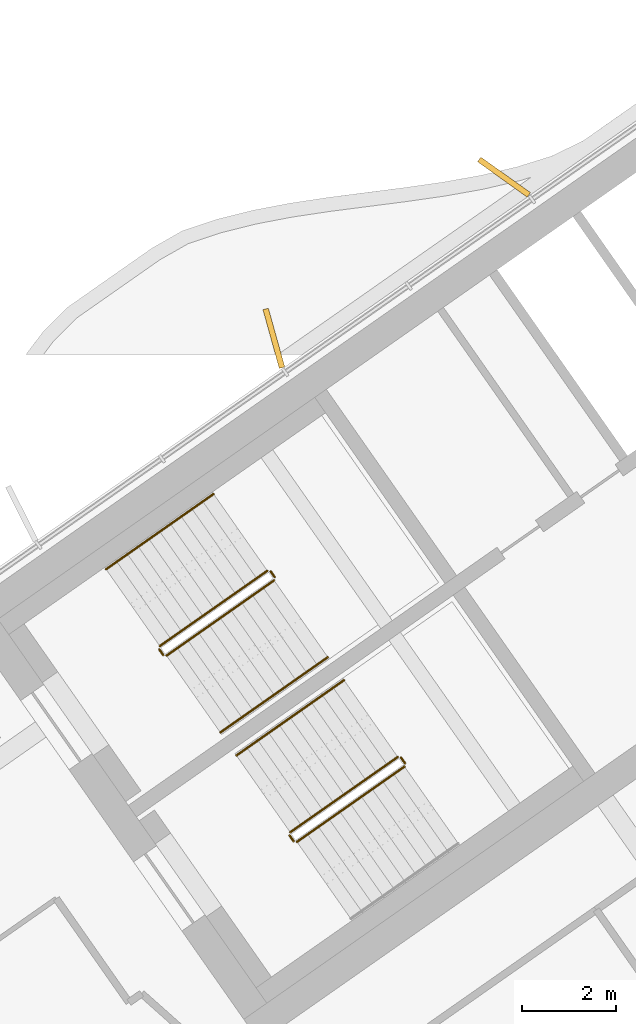
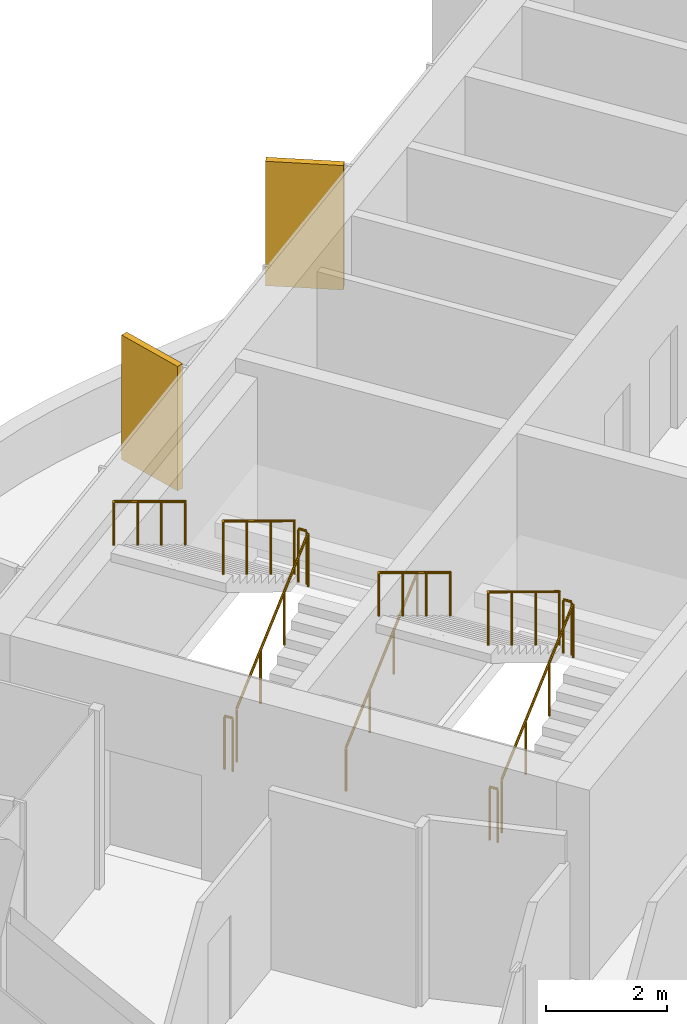
# One storey, part 14 of 17: 11 railings, 2 shading devices.
"""IFC4 building model written with IfcOpenShell, lengths in metres."""

from ifc_helpers import new_model, si_unit, direction, frame, origin, origin_2d, place, context, subcontext, project, spatial, rectangle, circle, extrude, material, layer, layer_set, type_object, element, save


model = new_model("IFC4")

# Units and contexts
model_context = context("Model", 3, precision=1e-05, world=origin(), true_north=direction((0.0, 1.0)))
body_context = subcontext(model_context, "Body", "Model", "MODEL_VIEW")
ifc_project = project(units=[si_unit("LENGTHUNIT", "METRE"), si_unit("AREAUNIT", "SQUARE_METRE"), si_unit("VOLUMEUNIT", "CUBIC_METRE"), si_unit("PLANEANGLEUNIT", "RADIAN"), si_unit("MASSUNIT", "GRAM", prefix="KILO")], contexts=[model_context])

# Site, building, storey
site_placement = place(None, origin())
site = spatial("IfcSite", under=ifc_project, at=site_placement, CompositionType="ELEMENT")
building_placement = place(site_placement, origin())
building = spatial("IfcBuilding", under=site, at=building_placement, Name="Tel Ilan Convention Tower", CompositionType="ELEMENT")
storey_placement = place(building_placement, frame((0.0, 0.0, 287.800048828125)))
storey = spatial("IfcBuildingStorey", under=building, at=storey_placement, Name="L68", CompositionType="ELEMENT", Elevation=287.800048828125)

# Shading devices
ifc_material_1 = material(Name="Aluminium, bronze anodised", Category="aluminium")
ifc_layer = layer(ifc_material_1, 0.1201171875)
ifc_layer_set = layer_set([ifc_layer], Name="FIN BRONZE 1300x120")
shading_device_type = type_object("IfcShadingDeviceType", Name="FIN BRONZE 1300x120", PredefinedType="USERDEFINED", material=ifc_layer_set)
for number, where, z_axis, x_axis, name in (
    (1, (-16.335693359375, 2.15185546875, 1.099853515625), (0.0, 0.0, 1.0), (-0.813552070258, 0.581492071294, 0.0), "FIN"),
    (2, (-21.246337890625, -1.286865234375, 1.099853515625), (0.0, 0.0, 1.0), (-0.268172612768, 0.963370878614, 0.0), "FIN"),
):
    element("IfcShadingDevice", number, at=place(storey_placement, frame(where, z_axis=z_axis, x_axis=x_axis)), inside=storey, type_object=shading_device_type, Name=name, ObjectType="FIN", PredefinedType="USERDEFINED", context=body_context, shape_type="SweptSolid", body=[
        extrude(rectangle(XDim=1.300048828125, YDim=0.1201171875, at=origin_2d()), origin(), (0.0, 0.0, 1.0), 2.52001953125),
    ])

# Railings
ifc_material_2 = material(Name="Stainless Steel Grade 316", Category="steel")
railing_type_1 = type_object("IfcRailingType", Name="Stainless Steel Stair Guard 1100 mm", PredefinedType="GUARDRAIL", material=ifc_material_2)
railing_1_placement = place(storey_placement, frame((-23.535400390625, -8.056396484375, 0.17724609375)))
element("IfcRailing", 3, at=railing_1_placement, inside=storey, type_object=railing_type_1, Name="L68 S1 stair guard 1", PredefinedType="GUARDRAIL", context=body_context, shape_type="SweptSolid", body=[
    extrude(circle(Radius=0.02392578125, at=origin_2d()), frame((0.0, 0.0, 1.076171875), z_axis=(0.692098378994, 0.484653031975, 0.534893701956), x_axis=(-0.573608623498, 0.819129505664, 0.0)), (0.0, 0.0, 1.0), 3.314208984375),
    extrude(circle(Radius=0.02099609375, at=origin_2d()), origin(), (0.0, 0.0, 1.0), 1.052001953125),
    extrude(circle(Radius=0.02099609375, at=origin_2d()), frame((0.7646484375, 0.535400390625, 0.5908203125)), (0.0, 0.0, 1.0), 1.052001953125),
    extrude(circle(Radius=0.02099609375, at=origin_2d()), frame((1.529052734375, 1.07080078125, 1.181884765625)), (0.0, 0.0, 1.0), 1.052001953125),
    extrude(circle(Radius=0.02099609375, at=origin_2d()), frame((2.293701171875, 1.606201171875, 1.772705078125)), (0.0, 0.0, 1.0), 1.052001953125),
])
railing_2_placement = place(storey_placement, frame((-21.2294921875, -6.380615234375, 1.949951171875)))
element("IfcRailing", 4, at=railing_2_placement, inside=storey, type_object=railing_type_1, Name="L68 S1 stair guard 2", PredefinedType="GUARDRAIL", context=body_context, shape_type="SweptSolid", body=[
    extrude(circle(Radius=0.02392578125, at=origin_2d()), frame((0.0, 0.0, 1.076171875), z_axis=(-0.573353020881, 0.819308436089, 0.0), x_axis=(-0.819308436089, -0.573353020881, 0.0)), (0.0, 0.0, 1.0), 0.14990234375),
    extrude(circle(Radius=0.02099609375, at=origin_2d()), origin(), (0.0, 0.0, 1.0), 1.052001953125),
    extrude(circle(Radius=0.02099609375, at=origin_2d()), frame((-0.0859375, 0.122802734375, 0.0)), (0.0, 0.0, 1.0), 1.052001953125),
])
railing_3_placement = place(storey_placement, frame((-21.38525390625, -6.24560546875, 2.127197265625)))
element("IfcRailing", 5, at=railing_3_placement, inside=storey, type_object=railing_type_1, Name="L68 S1 stair guard 3", PredefinedType="GUARDRAIL", context=body_context, shape_type="SweptSolid", body=[
    extrude(circle(Radius=0.02392578125, at=origin_2d()), frame((0.0, 0.0, 1.076171875), z_axis=(-0.692084706163, -0.484621375041, 0.534940073605), x_axis=(0.573591086599, -0.819141785879, 0.0)), (0.0, 0.0, 1.0), 3.313720703125),
    extrude(circle(Radius=0.02099609375, at=origin_2d()), origin(), (0.0, 0.0, 1.0), 1.052001953125),
    extrude(circle(Radius=0.02099609375, at=origin_2d()), frame((-0.764404296875, -0.535400390625, 0.5908203125)), (0.0, 0.0, 1.0), 1.052001953125),
    extrude(circle(Radius=0.02099609375, at=origin_2d()), frame((-1.529052734375, -1.070556640625, 1.181884765625)), (0.0, 0.0, 1.0), 1.052001953125),
    extrude(circle(Radius=0.02099609375, at=origin_2d()), frame((-2.29345703125, -1.60595703125, 1.772705078125)), (0.0, 0.0, 1.0), 1.052001953125),
])
railing_4_placement = place(storey_placement, frame((-23.60498046875, -8.0439453125, 0.0)))
element("IfcRailing", 6, at=railing_4_placement, inside=storey, type_object=railing_type_1, Name="L68 S1 stair guard 4", PredefinedType="GUARDRAIL", context=body_context, shape_type="SweptSolid", body=[
    extrude(circle(Radius=0.02392578125, at=origin_2d()), frame((0.0, 0.0, 1.076171875), z_axis=(-0.574444878118, 0.818543268254, 0.0), x_axis=(-0.818543268254, -0.574444878118, 0.0)), (0.0, 0.0, 1.0), 0.150146484375),
    extrude(circle(Radius=0.02099609375, at=origin_2d()), origin(), (0.0, 0.0, 1.0), 1.052001953125),
    extrude(circle(Radius=0.02099609375, at=origin_2d()), frame((-0.086181640625, 0.122802734375, 0.0)), (0.0, 0.0, 1.0), 1.052001953125),
])
railing_5_placement = place(storey_placement, frame((-20.753662109375, -12.029296875, 0.17724609375)))
element("IfcRailing", 7, at=railing_5_placement, inside=storey, type_object=railing_type_1, Name="L68 S2 stair guard 1", PredefinedType="GUARDRAIL", context=body_context, shape_type="SweptSolid", body=[
    extrude(circle(Radius=0.02392578125, at=origin_2d()), frame((0.0, 0.0, 1.076171875), z_axis=(0.692098378994, 0.484653031975, 0.534893701956), x_axis=(-0.573608623498, 0.819129505664, 0.0)), (0.0, 0.0, 1.0), 3.314208984375),
    extrude(circle(Radius=0.02099609375, at=origin_2d()), origin(), (0.0, 0.0, 1.0), 1.052001953125),
    extrude(circle(Radius=0.02099609375, at=origin_2d()), frame((0.7646484375, 0.535400390625, 0.5908203125)), (0.0, 0.0, 1.0), 1.052001953125),
    extrude(circle(Radius=0.02099609375, at=origin_2d()), frame((1.529052734375, 1.07080078125, 1.181884765625)), (0.0, 0.0, 1.0), 1.052001953125),
    extrude(circle(Radius=0.02099609375, at=origin_2d()), frame((2.293701171875, 1.606201171875, 1.772705078125)), (0.0, 0.0, 1.0), 1.052001953125),
])
railing_6_placement = place(storey_placement, frame((-18.44775390625, -10.353515625, 1.949951171875)))
element("IfcRailing", 8, at=railing_6_placement, inside=storey, type_object=railing_type_1, Name="L68 S2 stair guard 2", PredefinedType="GUARDRAIL", context=body_context, shape_type="SweptSolid", body=[
    extrude(circle(Radius=0.02392578125, at=origin_2d()), frame((0.0, 0.0, 1.076171875), z_axis=(-0.573353020881, 0.819308436089, 0.0), x_axis=(-0.819308436089, -0.573353020881, 0.0)), (0.0, 0.0, 1.0), 0.14990234375),
    extrude(circle(Radius=0.02099609375, at=origin_2d()), origin(), (0.0, 0.0, 1.0), 1.052001953125),
    extrude(circle(Radius=0.02099609375, at=origin_2d()), frame((-0.0859375, 0.122802734375, 0.0)), (0.0, 0.0, 1.0), 1.052001953125),
])
railing_7_placement = place(storey_placement, frame((-18.603271484375, -10.218505859375, 2.127197265625)))
element("IfcRailing", 9, at=railing_7_placement, inside=storey, type_object=railing_type_1, Name="L68 S2 stair guard 3", PredefinedType="GUARDRAIL", context=body_context, shape_type="SweptSolid", body=[
    extrude(circle(Radius=0.02392578125, at=origin_2d()), frame((0.0, 0.0, 1.076171875), z_axis=(-0.692123088272, -0.484596665743, 0.534912798717), x_axis=(0.573550118428, -0.819170471667, 0.0)), (0.0, 0.0, 1.0), 3.31396484375),
    extrude(circle(Radius=0.02099609375, at=origin_2d()), origin(), (0.0, 0.0, 1.0), 1.052001953125),
    extrude(circle(Radius=0.02099609375, at=origin_2d()), frame((-0.7646484375, -0.535400390625, 0.5908203125)), (0.0, 0.0, 1.0), 1.052001953125),
    extrude(circle(Radius=0.02099609375, at=origin_2d()), frame((-1.529052734375, -1.070556640625, 1.181884765625)), (0.0, 0.0, 1.0), 1.052001953125),
    extrude(circle(Radius=0.02099609375, at=origin_2d()), frame((-2.293701171875, -1.60595703125, 1.772705078125)), (0.0, 0.0, 1.0), 1.052001953125),
])
railing_8_placement = place(storey_placement, frame((-20.8232421875, -12.016845703125, 0.0)))
element("IfcRailing", 10, at=railing_8_placement, inside=storey, type_object=railing_type_1, Name="L68 S2 stair guard 4", PredefinedType="GUARDRAIL", context=body_context, shape_type="SweptSolid", body=[
    extrude(circle(Radius=0.02392578125, at=origin_2d()), frame((0.0, 0.0, 1.076171875), z_axis=(-0.573353020881, 0.819308436089, 0.0), x_axis=(-0.819308436089, -0.573353020881, 0.0)), (0.0, 0.0, 1.0), 0.14990234375),
    extrude(circle(Radius=0.02099609375, at=origin_2d()), origin(), (0.0, 0.0, 1.0), 1.052001953125),
    extrude(circle(Radius=0.02099609375, at=origin_2d()), frame((-0.0859375, 0.122802734375, 0.0)), (0.0, 0.0, 1.0), 1.052001953125),
])
ifc_material_3 = material(Name="Stainless Steel Grade 316", Category="steel")
railing_type_2 = type_object("IfcRailingType", Name="Stainless Steel Stair Handrail 900 mm", PredefinedType="HANDRAIL", material=ifc_material_3)
railing_9_placement = place(storey_placement, frame((-22.38818359375, -9.694580078125, 0.17724609375)))
element("IfcRailing", 11, at=railing_9_placement, inside=storey, type_object=railing_type_2, Name="L68 S1 stair handrail 1", PredefinedType="HANDRAIL", context=body_context, shape_type="SweptSolid", body=[
    extrude(circle(Radius=0.02392578125, at=origin_2d()), frame((0.0, 0.0, 0.8759765625), z_axis=(0.692084706163, 0.484621375041, 0.534940073605), x_axis=(-0.573591086599, 0.819141785879, 0.0)), (0.0, 0.0, 1.0), 3.313720703125),
    extrude(circle(Radius=0.02099609375, at=origin_2d()), origin(), (0.0, 0.0, 1.0), 0.851806640625),
    extrude(circle(Radius=0.02099609375, at=origin_2d()), frame((0.764404296875, 0.535400390625, 0.5908203125)), (0.0, 0.0, 1.0), 0.851806640625),
    extrude(circle(Radius=0.02099609375, at=origin_2d()), frame((1.529052734375, 1.070556640625, 1.181884765625)), (0.0, 0.0, 1.0), 0.851806640625),
    extrude(circle(Radius=0.02099609375, at=origin_2d()), frame((2.29345703125, 1.60595703125, 1.772705078125)), (0.0, 0.0, 1.0), 0.851806640625),
])
for number, where, name in (
    (12, (-22.5322265625, -4.607177734375, 2.127197265625), "L68 S1 stair handrail 2"),
    (13, (-19.75048828125, -8.580078125, 2.127197265625), "L68 S2 stair handrail 2"),
):
    element("IfcRailing", number, at=place(storey_placement, frame(where)), inside=storey, type_object=railing_type_2, Name=name, PredefinedType="HANDRAIL", context=body_context, shape_type="SweptSolid", body=[
        extrude(circle(Radius=0.02392578125, at=origin_2d()), frame((0.0, 0.0, 0.8759765625), z_axis=(-0.692123088272, -0.484596665743, 0.534912798717), x_axis=(0.573550118428, -0.819170471667, 0.0)), (0.0, 0.0, 1.0), 3.31396484375),
        extrude(circle(Radius=0.02099609375, at=origin_2d()), origin(), (0.0, 0.0, 1.0), 0.851806640625),
        extrude(circle(Radius=0.02099609375, at=origin_2d()), frame((-0.7646484375, -0.535400390625, 0.5908203125)), (0.0, 0.0, 1.0), 0.851806640625),
        extrude(circle(Radius=0.02099609375, at=origin_2d()), frame((-1.529052734375, -1.070556640625, 1.181884765625)), (0.0, 0.0, 1.0), 0.851806640625),
        extrude(circle(Radius=0.02099609375, at=origin_2d()), frame((-2.293701171875, -1.60595703125, 1.772705078125)), (0.0, 0.0, 1.0), 0.851806640625),
    ])

save(model, "model.ifc")
